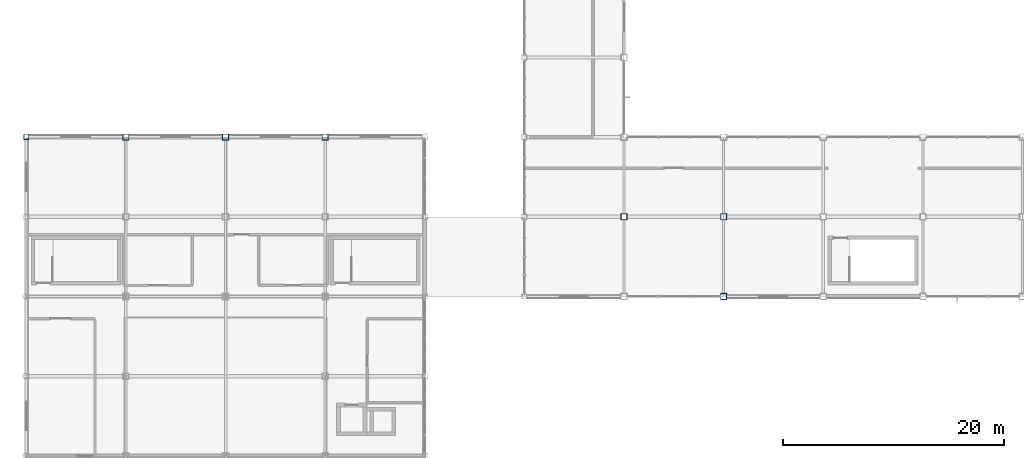
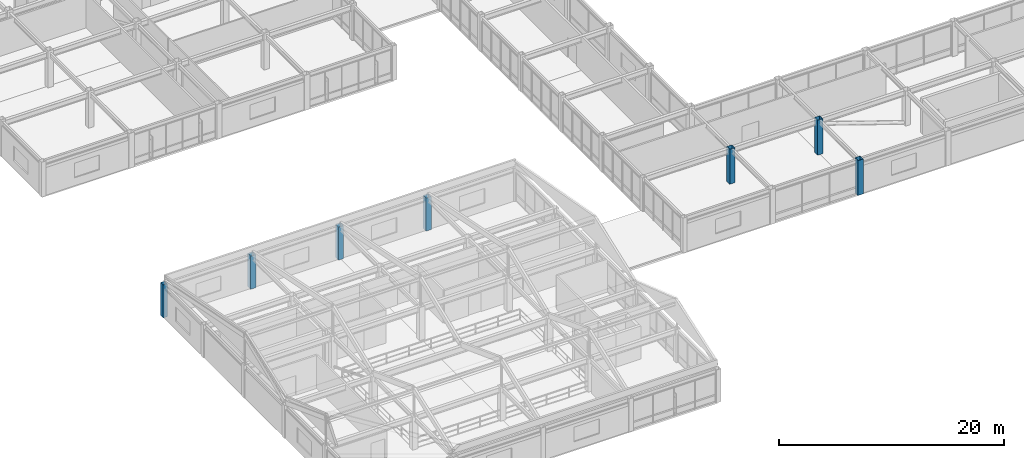
# One storey, part 2 of 113: 7 columns.
"""IFC4 building model written with IfcOpenShell, lengths in metres."""

from ifc_helpers import new_model, si_unit, direction, frame, origin, origin_2d, place, context, subcontext, project, spatial, hollow_rectangle, extrude, material, material_profile, profile_set, type_object, element, save


model = new_model("IFC4")

# Units and contexts
model_context = context("Model", 3, precision=1e-05, world=origin(), true_north=direction((0.0, 1.0)))
body_context = subcontext(model_context, "Body", "Model", "MODEL_VIEW")
ifc_project = project(units=[si_unit("LENGTHUNIT", "METRE"), si_unit("AREAUNIT", "SQUARE_METRE"), si_unit("VOLUMEUNIT", "CUBIC_METRE"), si_unit("PLANEANGLEUNIT", "RADIAN"), si_unit("MASSUNIT", "GRAM", prefix="KILO")], contexts=[model_context])

# Site, building, storey
site_placement = place(None, origin())
site = spatial("IfcSite", under=ifc_project, at=site_placement, CompositionType="ELEMENT")
building_placement = place(site_placement, origin())
building = spatial("IfcBuilding", under=site, at=building_placement, Name="Kazanami Central Library", CompositionType="ELEMENT")
storey_placement = place(building_placement, frame((0.0, 0.0, 8.800048828125)))
storey = spatial("IfcBuildingStorey", under=building, at=storey_placement, Name="L03", CompositionType="ELEMENT", Elevation=8.800048828125)

# Columns
ifc_material = material(Name="Steel BCP325 (325 MPa)", Category="steel")
ifc_material_profile_1 = material_profile(ifc_material, hollow_rectangle(XDim=0.449951171875, YDim=0.449951171875, WallThickness=0.01904296875, at=origin_2d()), Name="BCP-450x450x19")
ifc_profile_set_1 = profile_set([ifc_material_profile_1], Name="Steel BCP325 (325 MPa)")
column_type_1 = type_object("IfcColumnType", Name="COL-C-P2E", PredefinedType="COLUMN", material=ifc_profile_set_1)
column_placement = place(storey_placement, frame((0.0, 36.0, 0.0), z_axis=(0.0, 0.0, 1.0), x_axis=(1.0, 0.0, 0.0)))
element("IfcColumn", 1, at=column_placement, inside=storey, type_object=column_type_1, Name="Column C-P2E L03 1/F", PredefinedType="COLUMN", context=body_context, shape_type="SweptSolid", body=[
    extrude(hollow_rectangle(XDim=0.449951171875, YDim=0.449951171875, WallThickness=0.01904296875, at=origin_2d()), origin(), (0.0, 0.0, 1.0), 3.579833984375),
])
ifc_material_profile_2 = material_profile(ifc_material, hollow_rectangle(XDim=0.550048828125, YDim=0.550048828125, WallThickness=0.02197265625, at=origin_2d()), Name="BCP-550x550x22")
ifc_profile_set_2 = profile_set([ifc_material_profile_2], Name="Steel BCP325 (325 MPa)")
column_type_2 = type_object("IfcColumnType", Name="COL-C-P2I", PredefinedType="COLUMN", material=ifc_profile_set_2)
for number, where, z_axis, x_axis, name in (
    (2, (9.0, 36.0, 0.0), (0.0, 0.0, 1.0), (1.0, 0.0, 0.0), "Column C-P2I L03 2/F"),
    (3, (18.0, 36.0, 0.0), (0.0, 0.0, 1.0), (1.0, 0.0, 0.0), "Column C-P2I L03 3/F"),
    (4, (27.0, 36.0, 0.0), (0.0, 0.0, 1.0), (1.0, 0.0, 0.0), "Column C-P2I L03 4/F"),
):
    element("IfcColumn", number, at=place(storey_placement, frame(where, z_axis=z_axis, x_axis=x_axis)), inside=storey, type_object=column_type_2, Name=name, PredefinedType="COLUMN", context=body_context, shape_type="SweptSolid", body=[
        extrude(hollow_rectangle(XDim=0.550048828125, YDim=0.550048828125, WallThickness=0.02197265625, at=origin_2d()), origin(), (0.0, 0.0, 1.0), 3.579833984375),
    ])
for number, where, z_axis, x_axis, name in (
    (5, (54.0, 28.800048828125, 0.0), (0.0, 0.0, 1.0), (1.0, 0.0, 0.0), "Column C-P2I L03 7/E"),
    (6, (63.0, 21.60009765625, 0.0), (0.0, 0.0, 1.0), (1.0, 0.0, 0.0), "Column C-P2I L03 8/D"),
    (7, (63.0, 28.800048828125, 0.0), (0.0, 0.0, 1.0), (1.0, 0.0, 0.0), "Column C-P2I L03 8/E"),
):
    element("IfcColumn", number, at=place(storey_placement, frame(where, z_axis=z_axis, x_axis=x_axis)), inside=storey, type_object=column_type_2, Name=name, PredefinedType="COLUMN", context=body_context, shape_type="SweptSolid", body=[
        extrude(hollow_rectangle(XDim=0.550048828125, YDim=0.550048828125, WallThickness=0.02197265625, at=origin_2d()), origin(), (0.0, 0.0, 1.0), 3.780029296875),
    ])

save(model, "model.ifc")
